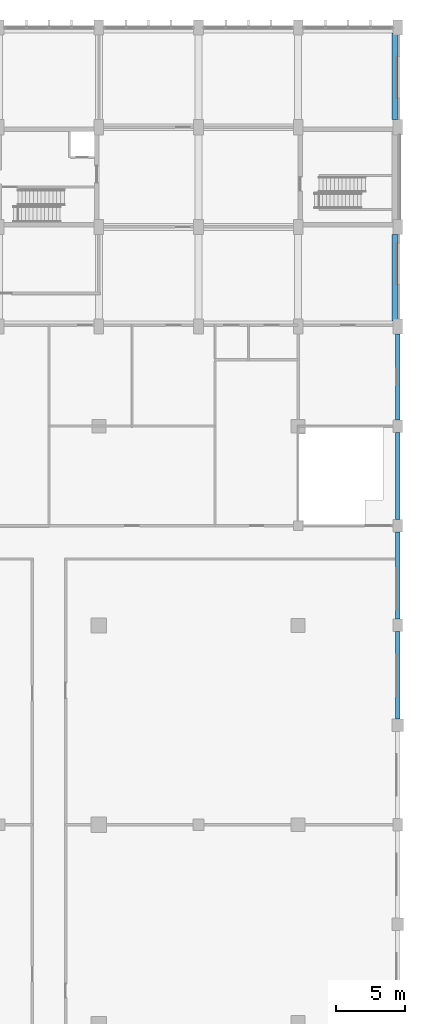
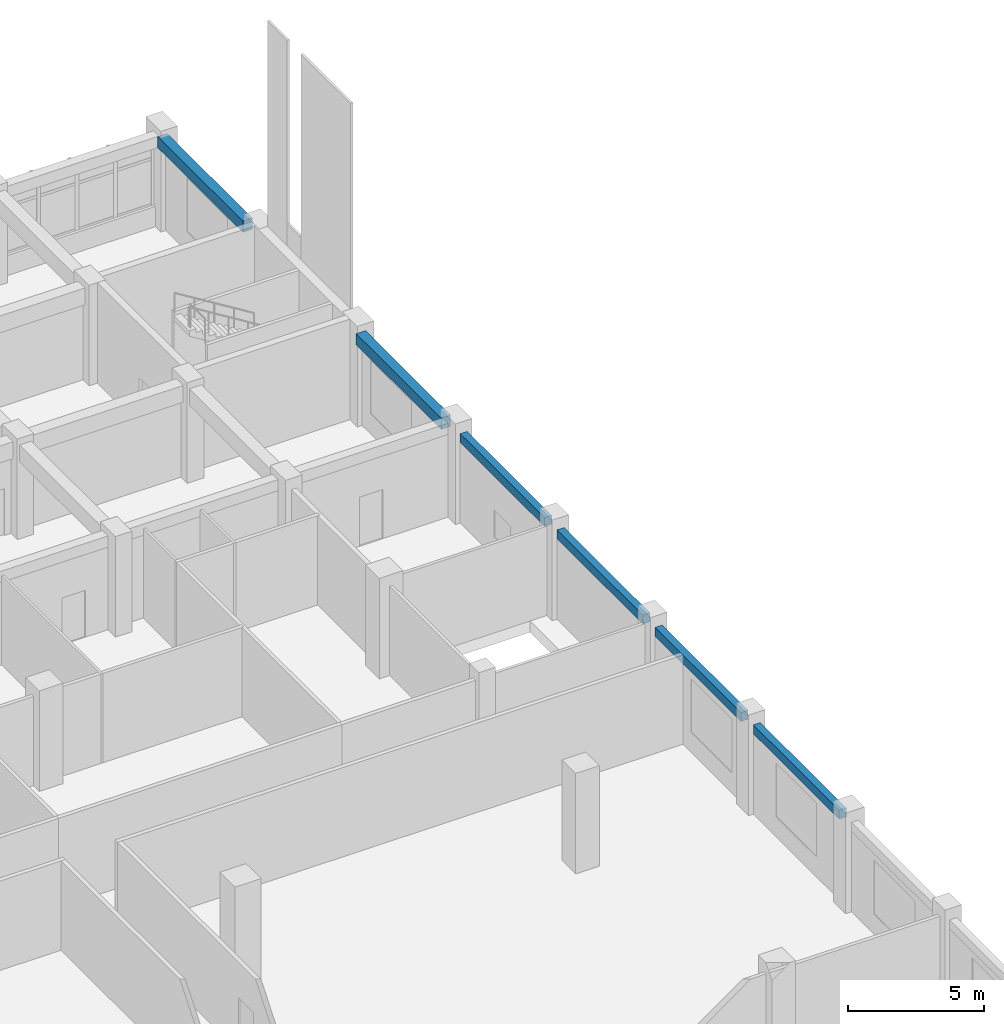
# One storey, part 21 of 52: 6 beams.
"""IFC4 building model written with IfcOpenShell, lengths in metres."""

from ifc_helpers import new_model, si_unit, direction, frame, origin, origin_2d, place, context, subcontext, project, spatial, rectangle, extrude, material, material_profile, profile_set, type_object, element, save


model = new_model("IFC4")

# Units and contexts
model_context = context("Model", 3, precision=1e-05, world=origin(), true_north=direction((0.0, 1.0)))
body_context = subcontext(model_context, "Body", "Model", "MODEL_VIEW")
ifc_project = project(units=[si_unit("LENGTHUNIT", "METRE"), si_unit("AREAUNIT", "SQUARE_METRE"), si_unit("VOLUMEUNIT", "CUBIC_METRE"), si_unit("PLANEANGLEUNIT", "RADIAN"), si_unit("MASSUNIT", "GRAM", prefix="KILO")], contexts=[model_context])

# Site, building, storey
site_placement = place(None, origin())
site = spatial("IfcSite", under=ifc_project, at=site_placement, CompositionType="ELEMENT")
building_placement = place(site_placement, origin())
building = spatial("IfcBuilding", under=site, at=building_placement, Name="Vermilion Court Aquatics Centre", CompositionType="ELEMENT")
storey_placement = place(building_placement, frame((0.0, 0.0, 12.0)))
storey = spatial("IfcBuildingStorey", under=building, at=storey_placement, Name="L02", CompositionType="ELEMENT", Elevation=12.0)

# Beams
ifc_material_1 = material(Name="Concrete 6000 psi", Category="concrete")
ifc_material_profile_1 = material_profile(ifc_material_1, rectangle(XDim=0.39990234375, YDim=0.5, at=origin_2d()), Name="RC 400x500")
ifc_profile_set_1 = profile_set([ifc_material_profile_1], Name="Concrete 6000 psi")
beam_type_1 = type_object("IfcBeamType", Name="North block spandrel beam 400x500", PredefinedType="BEAM", material=ifc_profile_set_1)
for number, where, z_axis, x_axis, name in (
    (1, (194.199951171875, 94.0, 3.949951171875), (0.0, 1.0, 0.0), (-1.0, 0.0, 0.0), "Spandrel beam L03 y194.2"),
    (2, (194.199951171875, 108.550048828125, 3.949951171875), (0.0, 1.0, 0.0), (-1.0, 0.0, 0.0), "Spandrel beam L03 y194.2"),
):
    element("IfcBeam", number, at=place(storey_placement, frame(where, z_axis=z_axis, x_axis=x_axis)), inside=storey, type_object=beam_type_1, Name=name, PredefinedType="BEAM", context=body_context, shape_type="SweptSolid", body=[
        extrude(rectangle(XDim=0.39990234375, YDim=0.5, at=origin_2d()), origin(), (0.0, 0.0, 1.0), 6.25),
    ])
ifc_material_2 = material(Name="Concrete 5000 psi", Category="concrete")
ifc_material_profile_2 = material_profile(ifc_material_2, rectangle(XDim=0.300048828125, YDim=0.39990234375, at=origin_2d()), Name="RC 300x400")
ifc_profile_set_2 = profile_set([ifc_material_profile_2], Name="Concrete 5000 psi")
beam_type_2 = type_object("IfcBeamType", Name="Podium spandrel beam RC 300x400", PredefinedType="BEAM", material=ifc_profile_set_2)
for number, where, z_axis, x_axis, name in (
    (3, (194.39990234375, 65.25, 3.800048828125), (0.0, 1.0, 0.0), (-1.0, 0.0, 0.0), "Spandrel beam L02"),
    (4, (194.39990234375, 72.449951171875, 3.800048828125), (0.0, 1.0, 0.0), (-1.0, 0.0, 0.0), "Spandrel beam L02"),
    (5, (194.39990234375, 79.64990234375, 3.800048828125), (0.0, 1.0, 0.0), (-1.0, 0.0, 0.0), "Spandrel beam L02"),
):
    element("IfcBeam", number, at=place(storey_placement, frame(where, z_axis=z_axis, x_axis=x_axis)), inside=storey, type_object=beam_type_2, Name=name, PredefinedType="BEAM", context=body_context, shape_type="SweptSolid", body=[
        extrude(rectangle(XDim=0.300048828125, YDim=0.39990234375, at=origin_2d()), origin(), (0.0, 0.0, 1.0), 6.300048828125),
    ])
beam_placement = place(storey_placement, frame((194.39990234375, 86.85009765625, 3.800048828125), z_axis=(0.0, 1.0, 0.0), x_axis=(-1.0, 0.0, 0.0)))
element("IfcBeam", 6, at=beam_placement, inside=storey, type_object=beam_type_2, Name="Spandrel beam L02", PredefinedType="BEAM", context=body_context, shape_type="SweptSolid", body=[
    extrude(rectangle(XDim=0.300048828125, YDim=0.39990234375, at=origin_2d()), origin(), (0.0, 0.0, 1.0), 6.199951171875),
])

save(model, "model.ifc")
